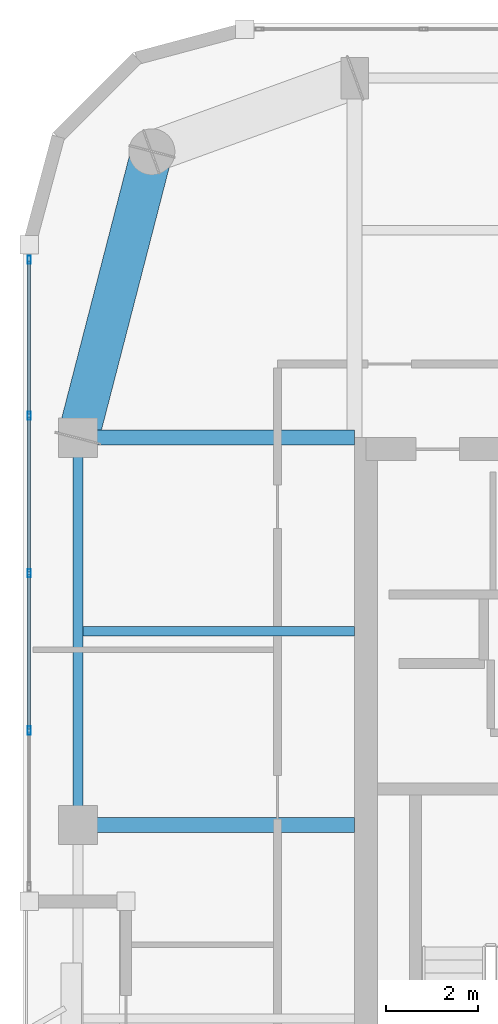
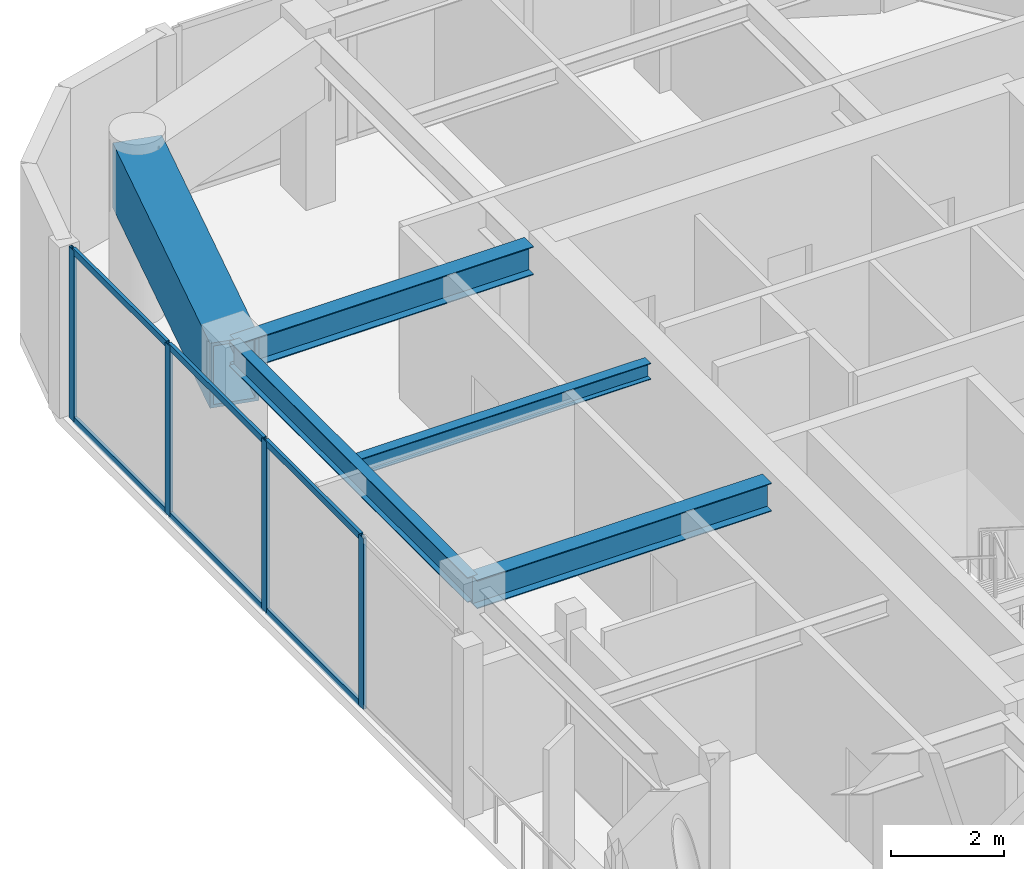
# One storey, part 4 of 16: 10 members, 5 beams, 1 element without a shape of its own.
"""IFC4 building model written with IfcOpenShell, lengths in metres."""

from ifc_helpers import new_model, si_unit, direction, frame, origin, origin_2d, place, context, subcontext, project, spatial, hollow_rectangle, i_section, extrude, material, layer, layer_set, material_profile, profile_set, type_object, element, aggregate, save


model = new_model("IFC4")

# Units and contexts
model_context = context("Model", 3, precision=1e-05, world=origin(), true_north=direction((0.0, 1.0)))
body_context = subcontext(model_context, "Body", "Model", "MODEL_VIEW")
ifc_project = project(units=[si_unit("LENGTHUNIT", "METRE"), si_unit("AREAUNIT", "SQUARE_METRE"), si_unit("VOLUMEUNIT", "CUBIC_METRE"), si_unit("PLANEANGLEUNIT", "RADIAN"), si_unit("MASSUNIT", "GRAM", prefix="KILO")], contexts=[model_context])

# Site, building, storey
site_placement = place(None, origin())
site = spatial("IfcSite", under=ifc_project, at=site_placement, CompositionType="ELEMENT")
building_placement = place(site_placement, origin())
building = spatial("IfcBuilding", under=site, at=building_placement, Name="Kiyonajd Concourse Tower", CompositionType="ELEMENT")
storey_placement = place(building_placement, frame((0.0, 0.0, 302.39990234375)))
storey = spatial("IfcBuildingStorey", under=building, at=storey_placement, Name="L76", CompositionType="ELEMENT", Elevation=302.39990234375)

# Beams
ifc_material_1 = material(Name="Steel ASTM A992 Grade 50", Category="steel")
ifc_material_profile_1 = material_profile(ifc_material_1, i_section(OverallWidth=0.205078125, OverallDepth=0.35400390625, WebThickness=0.009521484375, FlangeThickness=0.016845703125, at=origin_2d()), Name="W360X79")
ifc_profile_set_1 = profile_set([ifc_material_profile_1], Name="Steel ASTM A992 Grade 50")
beam_type_1 = type_object("IfcBeamType", Name="BM-JST-360", PredefinedType="JOIST", material=ifc_profile_set_1)
beam_1_placement = place(storey_placement, frame((26.505615234375, 40.199951171875, 3.503173828125), z_axis=(1.0, 0.0, 0.0), x_axis=(0.0, 1.0, 0.0)))
element("IfcBeam", 1, at=beam_1_placement, inside=storey, type_object=beam_type_1, Name="L76 West Secondary Floor Joist", PredefinedType="JOIST", context=body_context, shape_type="SweptSolid", body=[
    extrude(i_section(OverallWidth=0.205078125, OverallDepth=0.35400390625, WebThickness=0.009521484375, FlangeThickness=0.016845703125, at=origin_2d()), origin(), (0.0, 0.0, 1.0), 5.894287109375),
])
ifc_material_profile_2 = material_profile(ifc_material_1, i_section(OverallWidth=0.2109375, OverallDepth=0.5390625, WebThickness=0.01171875, FlangeThickness=0.018798828125, at=origin_2d()), Name="W530X109")
ifc_profile_set_2 = profile_set([ifc_material_profile_2], Name="Steel ASTM A992 Grade 50")
beam_type_2 = type_object("IfcBeamType", Name="BM-SPAN-530B", PredefinedType="SPANDREL", material=ifc_profile_set_2)
beam_2_placement = place(storey_placement, frame((26.39990234375, 44.39990234375, 3.41064453125), z_axis=(0.0, -1.0, 0.0), x_axis=(1.0, 0.0, 0.0)))
element("IfcBeam", 2, at=beam_2_placement, inside=storey, type_object=beam_type_2, Name="L76 Perimeter Bundled Tube Spandrel", PredefinedType="SPANDREL", context=body_context, shape_type="SweptSolid", body=[
    extrude(i_section(OverallWidth=0.2109375, OverallDepth=0.5390625, WebThickness=0.01171875, FlangeThickness=0.018798828125, at=origin_2d()), origin(), (0.0, 0.0, 1.0), 8.39990234375),
])
ifc_material_profile_3 = material_profile(ifc_material_1, i_section(OverallWidth=0.323974609375, OverallDepth=0.611083984375, WebThickness=0.0126953125, FlangeThickness=0.01904296875, at=origin_2d()), Name="W610X155")
ifc_profile_set_3 = profile_set([ifc_material_profile_3], Name="Steel ASTM A992 Grade 50")
beam_type_3 = type_object("IfcBeamType", Name="BM-TWR-610B", PredefinedType="BEAM", material=ifc_profile_set_3)
for number, where, z_axis, x_axis, name in (
    (3, (26.39990234375, 36.0, 3.37451171875), (1.0, 0.0, 0.0), (0.0, 1.0, 0.0), "L76 West Lease Girder"),
    (4, (26.39990234375, 44.39990234375, 3.37451171875), (1.0, 0.0, 0.0), (0.0, 1.0, 0.0), "L76 West Lease Girder"),
):
    element("IfcBeam", number, at=place(storey_placement, frame(where, z_axis=z_axis, x_axis=x_axis)), inside=storey, type_object=beam_type_3, Name=name, PredefinedType="BEAM", context=body_context, shape_type="SweptSolid", body=[
        extrude(i_section(OverallWidth=0.323974609375, OverallDepth=0.611083984375, WebThickness=0.0126953125, FlangeThickness=0.01904296875, at=origin_2d()), origin(), (0.0, 0.0, 1.0), 6.0),
    ])
ifc_material_2 = material(Name="Steel ASTM A572 Grade 50", Category="steel")
ifc_material_profile_4 = material_profile(ifc_material_2, hollow_rectangle(XDim=0.89990234375, YDim=1.39990234375, WallThickness=0.070068359375, at=origin_2d()), Name="BOX-1400x900x70")
ifc_profile_set_4 = profile_set([ifc_material_profile_4], Name="Steel ASTM A572 Grade 50")
beam_type_4 = type_object("IfcBeamType", Name="BM-XFER-1400", PredefinedType="BEAM", material=ifc_profile_set_4)
beam_3_placement = place(storey_placement, frame((28.0, 50.60009765625, 2.97998046875), z_axis=(-0.249884937687, -0.968275538221, 0.0), x_axis=(0.968275538221, -0.249884937687, 0.0)))
element("IfcBeam", 5, at=beam_3_placement, inside=storey, type_object=beam_type_4, Name="L76 Perimeter Bundled Tube Spandrel", PredefinedType="BEAM", context=body_context, shape_type="SweptSolid", body=[
    extrude(hollow_rectangle(XDim=0.89990234375, YDim=1.39990234375, WallThickness=0.070068359375, at=origin_2d()), origin(), (0.0, 0.0, 1.0), 6.4033203125),
])

# Curtain wall, members
ifc_material_3 = material(Name="Thermally Broken Anodised Aluminium", Category="aluminium")
ifc_layer = layer(ifc_material_3, 0.179931640625)
ifc_layer_set = layer_set([ifc_layer], Name="Thermally Broken Anodised Aluminium")
curtain_wall_type = type_object("IfcCurtainWallType", Name="CW-SYS-04", PredefinedType="NOTDEFINED", material=ifc_layer_set)
curtain_wall_placement = place(storey_placement, origin())
curtain_wall = element("IfcCurtainWall", 6, at=curtain_wall_placement, inside=storey, type_object=curtain_wall_type, Name="L76 Unitised Curtain Wall CW4", PredefinedType="NOTDEFINED")
ifc_material_profile_5 = material_profile(ifc_material_3, hollow_rectangle(XDim=0.06494140625, YDim=0.179931640625, WallThickness=0.00390625, at=origin_2d()), Name="MULL-65x180")
ifc_profile_set_5 = profile_set([ifc_material_profile_5], Name="Thermally Broken Anodised Aluminium")
member_type_1 = type_object("IfcMemberType", Name="MB-CW-MULL1", PredefinedType="MULLION", material=ifc_profile_set_5)
member_1_placement = place(storey_placement, frame((25.340087890625, 38.04541015625, 0.0), z_axis=(0.0, 0.0, 1.0), x_axis=(-1.0, 0.0, 0.0)))
member_1 = element("IfcMember", 7, at=member_1_placement, type_object=member_type_1, Name="CW4 mullion 2", PredefinedType="MULLION", context=body_context, shape_type="SweptSolid", body=[
    extrude(hollow_rectangle(XDim=0.06494140625, YDim=0.179931640625, WallThickness=0.00390625, at=origin_2d()), origin(), (0.0, 0.0, 1.0), 3.68017578125),
])
member_2_placement = place(storey_placement, frame((25.340087890625, 41.460693359375, 0.0), z_axis=(0.0, 0.0, 1.0), x_axis=(-1.0, 0.0, 0.0)))
member_2 = element("IfcMember", 8, at=member_2_placement, type_object=member_type_1, Name="CW4 mullion 3", PredefinedType="MULLION", context=body_context, shape_type="SweptSolid", body=[
    extrude(hollow_rectangle(XDim=0.06494140625, YDim=0.179931640625, WallThickness=0.00390625, at=origin_2d()), origin(), (0.0, 0.0, 1.0), 3.68017578125),
])
member_3_placement = place(storey_placement, frame((25.340087890625, 44.876220703125, 0.0), z_axis=(0.0, 0.0, 1.0), x_axis=(-1.0, 0.0, 0.0)))
member_3 = element("IfcMember", 9, at=member_3_placement, type_object=member_type_1, Name="CW4 mullion 4", PredefinedType="MULLION", context=body_context, shape_type="SweptSolid", body=[
    extrude(hollow_rectangle(XDim=0.06494140625, YDim=0.179931640625, WallThickness=0.00390625, at=origin_2d()), origin(), (0.0, 0.0, 1.0), 3.68017578125),
])
member_4_placement = place(storey_placement, frame((25.340087890625, 48.259033203125, 0.0), z_axis=(0.0, 0.0, 1.0), x_axis=(-1.0, 0.0, 0.0)))
member_4 = element("IfcMember", 10, at=member_4_placement, type_object=member_type_1, Name="CW4 mullion 5", PredefinedType="MULLION", context=body_context, shape_type="SweptSolid", body=[
    extrude(hollow_rectangle(XDim=0.06494140625, YDim=0.179931640625, WallThickness=0.00390625, at=origin_2d()), origin(), (0.0, 0.0, 1.0), 3.68017578125),
])
ifc_material_profile_6 = material_profile(ifc_material_3, hollow_rectangle(XDim=0.06494140625, YDim=0.139892578125, WallThickness=0.00390625, at=origin_2d()), Name="TRAN-65x140")
ifc_profile_set_6 = profile_set([ifc_material_profile_6], Name="Thermally Broken Anodised Aluminium")
member_type_2 = type_object("IfcMemberType", Name="MB-CW-TRAN1", PredefinedType="USERDEFINED", material=ifc_profile_set_6)
member_5_placement = place(storey_placement, frame((25.340087890625, 38.077880859375, 0.03271484375), z_axis=(0.0, 1.0, 0.0), x_axis=(-1.0, 0.0, 0.0)))
member_5 = element("IfcMember", 11, at=member_5_placement, type_object=member_type_2, Name="CW4 transom 2.1", ObjectType="TRANSOM", PredefinedType="USERDEFINED", context=body_context, shape_type="SweptSolid", body=[
    extrude(hollow_rectangle(XDim=0.06494140625, YDim=0.139892578125, WallThickness=0.00390625, at=origin_2d()), origin(), (0.0, 0.0, 1.0), 3.350341796875),
])
member_6_placement = place(storey_placement, frame((25.340087890625, 38.077880859375, 3.647705078125), z_axis=(0.0, 1.0, 0.0), x_axis=(-1.0, 0.0, 0.0)))
member_6 = element("IfcMember", 12, at=member_6_placement, type_object=member_type_2, Name="CW4 transom 2.2", ObjectType="TRANSOM", PredefinedType="USERDEFINED", context=body_context, shape_type="SweptSolid", body=[
    extrude(hollow_rectangle(XDim=0.06494140625, YDim=0.139892578125, WallThickness=0.00390625, at=origin_2d()), origin(), (0.0, 0.0, 1.0), 3.350341796875),
])
member_7_placement = place(storey_placement, frame((25.340087890625, 41.493408203125, 0.03271484375), z_axis=(0.0, 1.0, 0.0), x_axis=(-1.0, 0.0, 0.0)))
member_7 = element("IfcMember", 13, at=member_7_placement, type_object=member_type_2, Name="CW4 transom 3.1", ObjectType="TRANSOM", PredefinedType="USERDEFINED", context=body_context, shape_type="SweptSolid", body=[
    extrude(hollow_rectangle(XDim=0.06494140625, YDim=0.139892578125, WallThickness=0.00390625, at=origin_2d()), origin(), (0.0, 0.0, 1.0), 3.350341796875),
])
member_8_placement = place(storey_placement, frame((25.340087890625, 41.493408203125, 3.647705078125), z_axis=(0.0, 1.0, 0.0), x_axis=(-1.0, 0.0, 0.0)))
member_8 = element("IfcMember", 14, at=member_8_placement, type_object=member_type_2, Name="CW4 transom 3.2", ObjectType="TRANSOM", PredefinedType="USERDEFINED", context=body_context, shape_type="SweptSolid", body=[
    extrude(hollow_rectangle(XDim=0.06494140625, YDim=0.139892578125, WallThickness=0.00390625, at=origin_2d()), origin(), (0.0, 0.0, 1.0), 3.350341796875),
])
member_9_placement = place(storey_placement, frame((25.340087890625, 44.90869140625, 0.03271484375), z_axis=(0.0, 1.0, 0.0), x_axis=(-1.0, 0.0, 0.0)))
member_9 = element("IfcMember", 15, at=member_9_placement, type_object=member_type_2, Name="CW4 transom 4.1", ObjectType="TRANSOM", PredefinedType="USERDEFINED", context=body_context, shape_type="SweptSolid", body=[
    extrude(hollow_rectangle(XDim=0.06494140625, YDim=0.139892578125, WallThickness=0.00390625, at=origin_2d()), origin(), (0.0, 0.0, 1.0), 3.31787109375),
])
member_10_placement = place(storey_placement, frame((25.340087890625, 44.90869140625, 3.647705078125), z_axis=(0.0, 1.0, 0.0), x_axis=(-1.0, 0.0, 0.0)))
member_10 = element("IfcMember", 16, at=member_10_placement, type_object=member_type_2, Name="CW4 transom 4.2", ObjectType="TRANSOM", PredefinedType="USERDEFINED", context=body_context, shape_type="SweptSolid", body=[
    extrude(hollow_rectangle(XDim=0.06494140625, YDim=0.139892578125, WallThickness=0.00390625, at=origin_2d()), origin(), (0.0, 0.0, 1.0), 3.31787109375),
])
aggregate(curtain_wall, [member_1, member_2, member_3, member_4, member_5, member_6, member_7, member_8, member_9, member_10])

save(model, "model.ifc")
